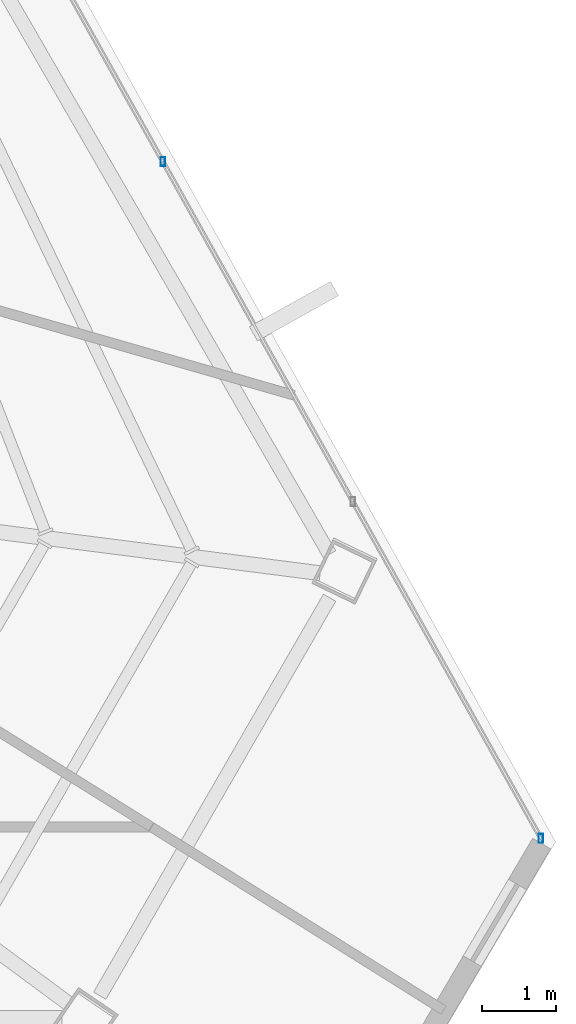
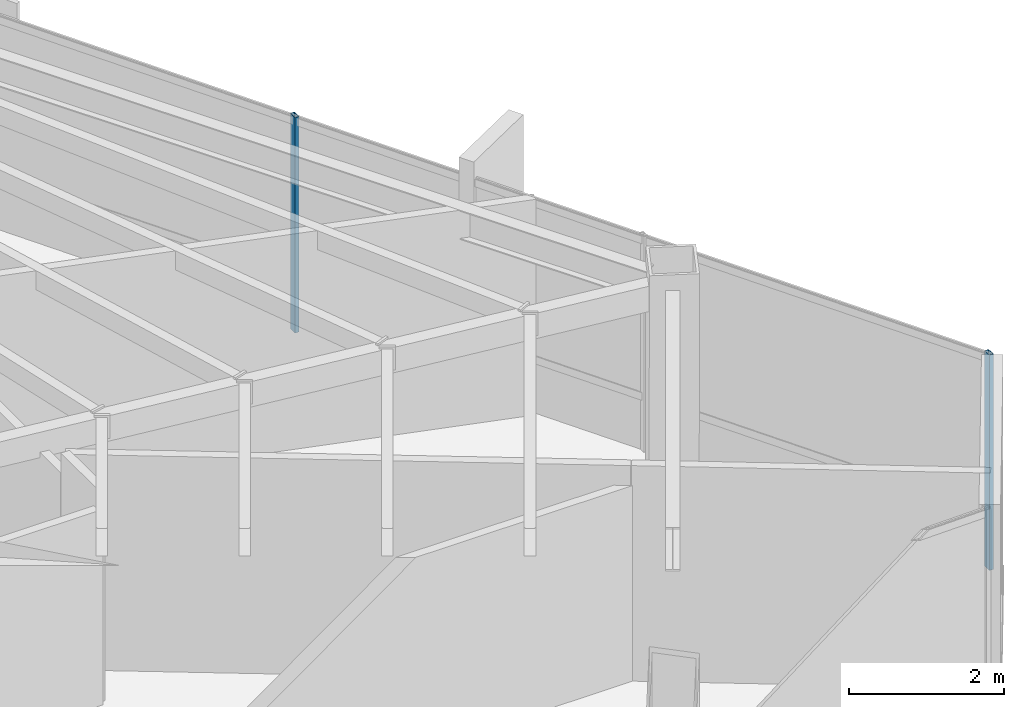
# One storey, part 25 of 48: 2 members, 1 element without a shape of its own.
"""IFC4 building model written with IfcOpenShell, lengths in metres."""

from ifc_helpers import new_model, si_unit, direction, frame, origin, origin_2d, place, context, subcontext, project, spatial, hollow_rectangle, extrude, source, transform, mapped, material, material_profile, profile_set, type_object, type_shapes, element, aggregate, save


model = new_model("IFC4")

# Units and contexts
model_context = context("Model", 3, precision=1e-05, world=origin(), true_north=direction((0.0, 1.0)))
body_context = subcontext(model_context, "Body", "Model", "MODEL_VIEW")
ifc_project = project(units=[si_unit("LENGTHUNIT", "METRE"), si_unit("AREAUNIT", "SQUARE_METRE"), si_unit("VOLUMEUNIT", "CUBIC_METRE"), si_unit("PLANEANGLEUNIT", "RADIAN"), si_unit("MASSUNIT", "GRAM", prefix="KILO")], contexts=[model_context])

# Site, building, storey
site_placement = place(None, origin())
site = spatial("IfcSite", under=ifc_project, at=site_placement, CompositionType="ELEMENT")
building_placement = place(site_placement, origin())
building = spatial("IfcBuilding", under=site, at=building_placement, Name="Caelisora Broadcast Tower", CompositionType="ELEMENT")
storey_placement = place(building_placement, frame((0.0, 0.0, 270.0)))
storey = spatial("IfcBuildingStorey", under=building, at=storey_placement, Name="L71", CompositionType="ELEMENT", Elevation=270.0)

# Curtain wall, members
ifc_material_1 = material(Name="Unitised Aluminium and Low-E Glass Curtain Wall", Category="glass")
curtain_wall_type = type_object("IfcCurtainWallType", Name="CW-Z5", PredefinedType="NOTDEFINED", material=ifc_material_1)
curtain_wall_placement = place(storey_placement, origin())
curtain_wall = element("IfcCurtainWall", 1, at=curtain_wall_placement, inside=storey, type_object=curtain_wall_type, Name="L71 curtain wall CW-Z5", PredefinedType="NOTDEFINED")
ifc_material_2 = material(Name="Aluminium 6063-T6 Anodised Terracotta Bronze", Category="aluminium")
ifc_material_profile = material_profile(ifc_material_2, hollow_rectangle(XDim=0.06005859375, YDim=0.1201171875, WallThickness=0.0029296875, at=origin_2d()), Name="Aluminium 6063-T6 Anodised Terracotta Bronze")
ifc_profile_set = profile_set([ifc_material_profile], Name="Aluminium 6063-T6 Anodised Terracotta Bronze")
member_type = type_object("IfcMemberType", Name="CWM-04", PredefinedType="MULLION", material=ifc_profile_set)
shared_shape = source(origin(), body_context, "Body", "SweptSolid", [
    extrude(hollow_rectangle(XDim=0.06005859375, YDim=0.1201171875, WallThickness=0.0029296875, at=origin_2d()), origin(), (0.0, 0.0, 1.0), 3.39990234375),
])
type_shapes(member_type, [shared_shape])
member_1_placement = place(storey_placement, frame((56.964599609375, 21.204833984375, 0.0), z_axis=(0.0, 0.0, 1.0), x_axis=(1.0, 0.0, 0.0)))
member_1 = element("IfcMember", 2, at=member_1_placement, type_object=member_type, Name="L71-CW-B03 mullion #1", PredefinedType="MULLION", context=body_context, shape_type="MappedRepresentation", body=[
    mapped(shared_shape, transform((0.0, 0.0, 0.0), scale=1.0)),
])
member_2_placement = place(storey_placement, frame((62.0595703125, 12.085693359375, 0.0), z_axis=(0.0, 0.0, 1.0), x_axis=(1.0, 0.0, 0.0)))
member_2 = element("IfcMember", 3, at=member_2_placement, type_object=member_type, Name="L71-CW-B03 mullion #3", PredefinedType="MULLION", context=body_context, shape_type="MappedRepresentation", body=[
    mapped(shared_shape, transform((0.0, 0.0, 0.0), scale=1.0)),
])
aggregate(curtain_wall, [member_1, member_2])

save(model, "model.ifc")
